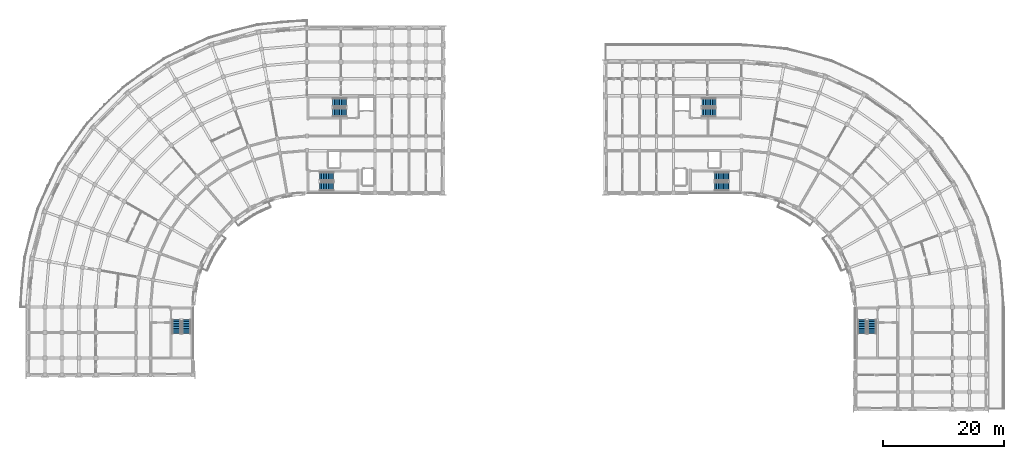
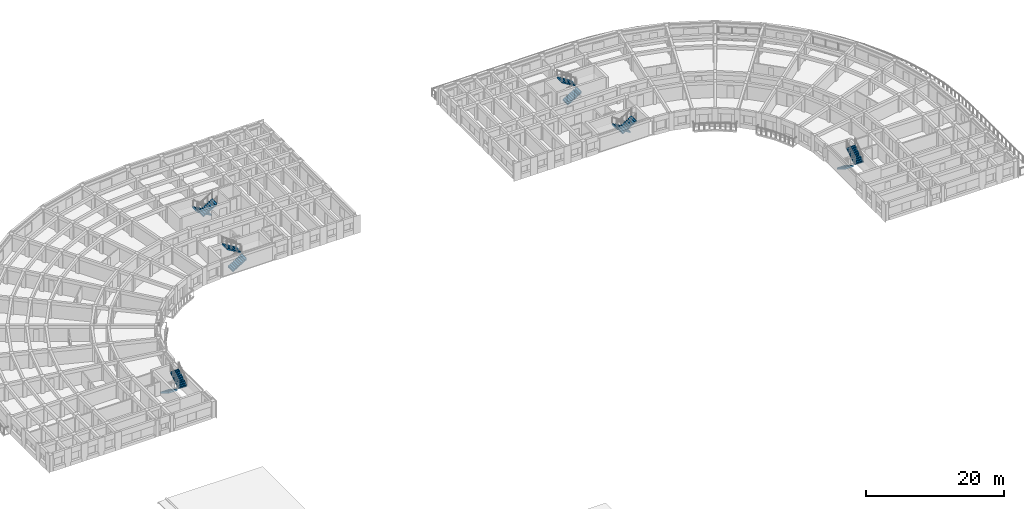
# One storey, part 28 of 41: 12 stair flights, 6 elements without a shape of their own.
"""IFC4 building model written with IfcOpenShell, lengths in metres."""

from ifc_helpers import new_model, si_unit, direction, frame, origin, place, context, subcontext, project, spatial, polyline, outline, extrude, material, type_object, element, aggregate, save


model = new_model("IFC4")

# Units and contexts
model_context = context("Model", 3, precision=1e-05, world=origin(), true_north=direction((0.0, 1.0)))
body_context = subcontext(model_context, "Body", "Model", "MODEL_VIEW")
ifc_project = project(units=[si_unit("LENGTHUNIT", "METRE"), si_unit("AREAUNIT", "SQUARE_METRE"), si_unit("VOLUMEUNIT", "CUBIC_METRE"), si_unit("PLANEANGLEUNIT", "RADIAN"), si_unit("MASSUNIT", "GRAM", prefix="KILO")], contexts=[model_context])

# Site, building, storey
site_placement = place(None, origin())
site = spatial("IfcSite", under=ifc_project, at=site_placement, CompositionType="ELEMENT")
building_placement = place(site_placement, origin())
building = spatial("IfcBuilding", under=site, at=building_placement, Name="Kiranvali Square Residences", CompositionType="ELEMENT")
storey_placement = place(building_placement, frame((0.0, 0.0, 33.89990234375)))
storey = spatial("IfcBuildingStorey", under=building, at=storey_placement, Name="L10", CompositionType="ELEMENT", Elevation=33.89990234375)

# Stair, stair flights
ifc_material = material(Name="Concrete M35 (35 MPa)", Category="concrete")
stair_type = type_object("IfcStairType", Name="ST-CORE-1700", PredefinedType="HALF_TURN_STAIR", material=ifc_material)
stair_1_placement = place(storey_placement, origin())
stair_1 = element("IfcStair", 1, at=stair_1_placement, inside=storey, type_object=stair_type, Name="L10 Block A Firefighting Exit Stair 1", PredefinedType="HALF_TURN_STAIR")
stair_flight_type = type_object("IfcStairFlightType", Name="STF-1700", PredefinedType="STRAIGHT", material=ifc_material)
stair_flight_1_placement = place(storey_placement, frame((54.699951171875, 121.52490234375, 0.0), z_axis=(0.0, 0.0, 1.0), x_axis=(-1.0, 0.0, 0.0)))
stair_flight_1 = element("IfcStairFlight", 2, at=stair_flight_1_placement, type_object=stair_flight_type, Name="ST-A1 flight 1", NumberOfRisers=9, NumberOfTreads=8, PredefinedType="STRAIGHT", RiserHeight=0.175, TreadLength=0.285, context=body_context, shape_type="SweptSolid", body=[
    extrude(outline(polyline([(-0.02001953125, -0.14990234375), (-0.02001953125, 0.0), (0.0, 0.0), (0.0, 0.175048828125), (0.284912109375, 0.175048828125), (0.284912109375, 0.35009765625), (0.570068359375, 0.35009765625), (0.570068359375, 0.52490234375), (0.85498046875, 0.52490234375), (0.85498046875, 0.699951171875), (1.139892578125, 0.699951171875), (1.139892578125, 0.875), (1.425048828125, 0.875), (1.425048828125, 1.050048828125), (1.7099609375, 1.050048828125), (1.7099609375, 1.22509765625), (1.9951171875, 1.22509765625), (1.9951171875, 1.39990234375), (2.280029296875, 1.39990234375), (2.280029296875, 1.574951171875), (2.300048828125, 1.574951171875), (2.300048828125, 1.22412109375), (2.280029296875, 1.22412109375), (0.0, -0.14990234375), (-0.02001953125, -0.14990234375)])), frame((0.0, 0.72509765625, 0.0), z_axis=(0.0, -1.0, 0.0), x_axis=(1.0, 0.0, 0.0)), (0.0, 0.0, 1.0), 1.449951171875),
])
stair_flight_2_placement = place(storey_placement, frame((52.419921875, 119.875, 1.5751953125), z_axis=(0.0, 0.0, 1.0), x_axis=(1.0, 0.0, 0.0)))
stair_flight_2 = element("IfcStairFlight", 3, at=stair_flight_2_placement, type_object=stair_flight_type, Name="ST-A1 flight 2", NumberOfRisers=9, NumberOfTreads=8, PredefinedType="STRAIGHT", RiserHeight=0.175, TreadLength=0.285, context=body_context, shape_type="SweptSolid", body=[
    extrude(outline(polyline([(-0.02001953125, -0.14990234375), (-0.02001953125, 0.0), (0.0, 0.0), (0.0, 0.175048828125), (0.284912109375, 0.175048828125), (0.284912109375, 0.35009765625), (0.570068359375, 0.35009765625), (0.570068359375, 0.52490234375), (0.85498046875, 0.52490234375), (0.85498046875, 0.699951171875), (1.139892578125, 0.699951171875), (1.139892578125, 0.875), (1.425048828125, 0.875), (1.425048828125, 1.050048828125), (1.7099609375, 1.050048828125), (1.7099609375, 1.22509765625), (1.9951171875, 1.22509765625), (1.9951171875, 1.39990234375), (2.280029296875, 1.39990234375), (2.280029296875, 1.574951171875), (2.300048828125, 1.574951171875), (2.300048828125, 1.22412109375), (2.280029296875, 1.22412109375), (0.0, -0.14990234375), (-0.02001953125, -0.14990234375)])), frame((0.0, 0.72509765625, 0.0), z_axis=(0.0, -1.0, 0.0), x_axis=(1.0, 0.0, 0.0)), (0.0, 0.0, 1.0), 1.449951171875),
])
aggregate(stair_1, [stair_flight_1, stair_flight_2])

stair_2_placement = place(storey_placement, origin())
stair_2 = element("IfcStair", 4, at=stair_2_placement, inside=storey, type_object=stair_type, Name="L10 Block A Protected Exit Stair 2", PredefinedType="HALF_TURN_STAIR")
stair_flight_3_placement = place(storey_placement, frame((50.300048828125, 107.675048828125, 0.0), z_axis=(0.0, 0.0, 1.0), x_axis=(1.0, 0.0, 0.0)))
stair_flight_3 = element("IfcStairFlight", 5, at=stair_flight_3_placement, type_object=stair_flight_type, Name="ST-A2 flight 1", NumberOfRisers=9, NumberOfTreads=8, PredefinedType="STRAIGHT", RiserHeight=0.175, TreadLength=0.285, context=body_context, shape_type="SweptSolid", body=[
    extrude(outline(polyline([(-0.02001953125, -0.14990234375), (-0.02001953125, 0.0), (0.0, 0.0), (0.0, 0.175048828125), (0.284912109375, 0.175048828125), (0.284912109375, 0.35009765625), (0.570068359375, 0.35009765625), (0.570068359375, 0.52490234375), (0.85498046875, 0.52490234375), (0.85498046875, 0.699951171875), (1.139892578125, 0.699951171875), (1.139892578125, 0.875), (1.425048828125, 0.875), (1.425048828125, 1.050048828125), (1.7099609375, 1.050048828125), (1.7099609375, 1.22509765625), (1.9951171875, 1.22509765625), (1.9951171875, 1.39990234375), (2.280029296875, 1.39990234375), (2.280029296875, 1.574951171875), (2.300048828125, 1.574951171875), (2.300048828125, 1.22412109375), (2.280029296875, 1.22412109375), (0.0, -0.14990234375), (-0.02001953125, -0.14990234375)])), frame((0.0, 0.72509765625, 0.0), z_axis=(0.0, -1.0, 0.0), x_axis=(1.0, 0.0, 0.0)), (0.0, 0.0, 1.0), 1.449951171875),
])
stair_flight_4_placement = place(storey_placement, frame((52.580078125, 109.324951171875, 1.5751953125), z_axis=(0.0, 0.0, 1.0), x_axis=(-1.0, 0.0, 0.0)))
stair_flight_4 = element("IfcStairFlight", 6, at=stair_flight_4_placement, type_object=stair_flight_type, Name="ST-A2 flight 2", NumberOfRisers=9, NumberOfTreads=8, PredefinedType="STRAIGHT", RiserHeight=0.175, TreadLength=0.285, context=body_context, shape_type="SweptSolid", body=[
    extrude(outline(polyline([(-0.02001953125, -0.14990234375), (-0.02001953125, 0.0), (0.0, 0.0), (0.0, 0.175048828125), (0.284912109375, 0.175048828125), (0.284912109375, 0.35009765625), (0.570068359375, 0.35009765625), (0.570068359375, 0.52490234375), (0.85498046875, 0.52490234375), (0.85498046875, 0.699951171875), (1.139892578125, 0.699951171875), (1.139892578125, 0.875), (1.425048828125, 0.875), (1.425048828125, 1.050048828125), (1.7099609375, 1.050048828125), (1.7099609375, 1.22509765625), (1.9951171875, 1.22509765625), (1.9951171875, 1.39990234375), (2.280029296875, 1.39990234375), (2.280029296875, 1.574951171875), (2.300048828125, 1.574951171875), (2.300048828125, 1.22412109375), (2.280029296875, 1.22412109375), (0.0, -0.14990234375), (-0.02001953125, -0.14990234375)])), frame((0.0, 0.72509765625, 0.0), z_axis=(0.0, -1.0, 0.0), x_axis=(1.0, 0.0, 0.0)), (0.0, 0.0, 1.0), 1.449951171875),
])
aggregate(stair_2, [stair_flight_3, stair_flight_4])

stair_3_placement = place(storey_placement, origin())
stair_3 = element("IfcStair", 7, at=stair_3_placement, inside=storey, type_object=stair_type, Name="L10 Block A Wing Protected Exit Stair 3", PredefinedType="HALF_TURN_STAIR")
stair_flight_5_placement = place(storey_placement, frame((26.675048828125, 85.699951171875, 0.0), z_axis=(0.0, 0.0, 1.0), x_axis=(0.0, -1.0, 0.0)))
stair_flight_5 = element("IfcStairFlight", 8, at=stair_flight_5_placement, type_object=stair_flight_type, Name="ST-A3 flight 1", NumberOfRisers=9, NumberOfTreads=8, PredefinedType="STRAIGHT", RiserHeight=0.175, TreadLength=0.285, context=body_context, shape_type="SweptSolid", body=[
    extrude(outline(polyline([(-0.02001953125, -0.14990234375), (-0.02001953125, 0.0), (0.0, 0.0), (0.0, 0.175048828125), (0.284912109375, 0.175048828125), (0.284912109375, 0.35009765625), (0.570068359375, 0.35009765625), (0.570068359375, 0.52490234375), (0.85498046875, 0.52490234375), (0.85498046875, 0.699951171875), (1.139892578125, 0.699951171875), (1.139892578125, 0.875), (1.425048828125, 0.875), (1.425048828125, 1.050048828125), (1.7099609375, 1.050048828125), (1.7099609375, 1.22509765625), (1.9951171875, 1.22509765625), (1.9951171875, 1.39990234375), (2.280029296875, 1.39990234375), (2.280029296875, 1.574951171875), (2.300048828125, 1.574951171875), (2.300048828125, 1.22412109375), (2.280029296875, 1.22412109375), (0.0, -0.14990234375), (-0.02001953125, -0.14990234375)])), frame((0.0, 0.72509765625, 0.0), z_axis=(0.0, -1.0, 0.0), x_axis=(1.0, 0.0, 0.0)), (0.0, 0.0, 1.0), 1.449951171875),
])
stair_flight_6_placement = place(storey_placement, frame((28.324951171875, 83.419921875, 1.5751953125), z_axis=(0.0, 0.0, 1.0), x_axis=(0.0, 1.0, 0.0)))
stair_flight_6 = element("IfcStairFlight", 9, at=stair_flight_6_placement, type_object=stair_flight_type, Name="ST-A3 flight 2", NumberOfRisers=9, NumberOfTreads=8, PredefinedType="STRAIGHT", RiserHeight=0.175, TreadLength=0.285, context=body_context, shape_type="SweptSolid", body=[
    extrude(outline(polyline([(-0.02001953125, -0.14990234375), (-0.02001953125, 0.0), (0.0, 0.0), (0.0, 0.175048828125), (0.284912109375, 0.175048828125), (0.284912109375, 0.35009765625), (0.570068359375, 0.35009765625), (0.570068359375, 0.52490234375), (0.85498046875, 0.52490234375), (0.85498046875, 0.699951171875), (1.139892578125, 0.699951171875), (1.139892578125, 0.875), (1.425048828125, 0.875), (1.425048828125, 1.050048828125), (1.7099609375, 1.050048828125), (1.7099609375, 1.22509765625), (1.9951171875, 1.22509765625), (1.9951171875, 1.39990234375), (2.280029296875, 1.39990234375), (2.280029296875, 1.574951171875), (2.300048828125, 1.574951171875), (2.300048828125, 1.22412109375), (2.280029296875, 1.22412109375), (0.0, -0.14990234375), (-0.02001953125, -0.14990234375)])), frame((0.0, 0.72509765625, 0.0), z_axis=(0.0, -1.0, 0.0), x_axis=(1.0, 0.0, 0.0)), (0.0, 0.0, 1.0), 1.449951171875),
])
aggregate(stair_3, [stair_flight_5, stair_flight_6])

stair_4_placement = place(storey_placement, origin())
stair_4 = element("IfcStair", 10, at=stair_4_placement, inside=storey, type_object=stair_type, Name="L10 Block B Firefighting Exit Stair 1", PredefinedType="HALF_TURN_STAIR")
stair_flight_7_placement = place(storey_placement, frame((113.300048828125, 119.875, 0.0), z_axis=(0.0, 0.0, 1.0), x_axis=(1.0, 0.0, 0.0)))
stair_flight_7 = element("IfcStairFlight", 11, at=stair_flight_7_placement, type_object=stair_flight_type, Name="ST-B1 flight 1", NumberOfRisers=9, NumberOfTreads=8, PredefinedType="STRAIGHT", RiserHeight=0.175, TreadLength=0.285, context=body_context, shape_type="SweptSolid", body=[
    extrude(outline(polyline([(-0.02001953125, -0.14990234375), (-0.02001953125, 0.0), (0.0, 0.0), (0.0, 0.175048828125), (0.284912109375, 0.175048828125), (0.284912109375, 0.35009765625), (0.570068359375, 0.35009765625), (0.570068359375, 0.52490234375), (0.85498046875, 0.52490234375), (0.85498046875, 0.699951171875), (1.139892578125, 0.699951171875), (1.139892578125, 0.875), (1.425048828125, 0.875), (1.425048828125, 1.050048828125), (1.7099609375, 1.050048828125), (1.7099609375, 1.22509765625), (1.9951171875, 1.22509765625), (1.9951171875, 1.39990234375), (2.280029296875, 1.39990234375), (2.280029296875, 1.574951171875), (2.300048828125, 1.574951171875), (2.300048828125, 1.22412109375), (2.280029296875, 1.22412109375), (0.0, -0.14990234375), (-0.02001953125, -0.14990234375)])), frame((0.0, 0.72509765625, 0.0), z_axis=(0.0, -1.0, 0.0), x_axis=(1.0, 0.0, 0.0)), (0.0, 0.0, 1.0), 1.449951171875),
])
stair_flight_8_placement = place(storey_placement, frame((115.580078125, 121.52490234375, 1.5751953125), z_axis=(0.0, 0.0, 1.0), x_axis=(-1.0, 0.0, 0.0)))
stair_flight_8 = element("IfcStairFlight", 12, at=stair_flight_8_placement, type_object=stair_flight_type, Name="ST-B1 flight 2", NumberOfRisers=9, NumberOfTreads=8, PredefinedType="STRAIGHT", RiserHeight=0.175, TreadLength=0.285, context=body_context, shape_type="SweptSolid", body=[
    extrude(outline(polyline([(-0.02001953125, -0.14990234375), (-0.02001953125, 0.0), (0.0, 0.0), (0.0, 0.175048828125), (0.284912109375, 0.175048828125), (0.284912109375, 0.35009765625), (0.570068359375, 0.35009765625), (0.570068359375, 0.52490234375), (0.85498046875, 0.52490234375), (0.85498046875, 0.699951171875), (1.139892578125, 0.699951171875), (1.139892578125, 0.875), (1.425048828125, 0.875), (1.425048828125, 1.050048828125), (1.7099609375, 1.050048828125), (1.7099609375, 1.22509765625), (1.9951171875, 1.22509765625), (1.9951171875, 1.39990234375), (2.280029296875, 1.39990234375), (2.280029296875, 1.574951171875), (2.300048828125, 1.574951171875), (2.300048828125, 1.22412109375), (2.280029296875, 1.22412109375), (0.0, -0.14990234375), (-0.02001953125, -0.14990234375)])), frame((0.0, 0.72509765625, 0.0), z_axis=(0.0, -1.0, 0.0), x_axis=(1.0, 0.0, 0.0)), (0.0, 0.0, 1.0), 1.449951171875),
])
aggregate(stair_4, [stair_flight_7, stair_flight_8])

stair_5_placement = place(storey_placement, origin())
stair_5 = element("IfcStair", 13, at=stair_5_placement, inside=storey, type_object=stair_type, Name="L10 Block B Protected Exit Stair 2", PredefinedType="HALF_TURN_STAIR")
stair_flight_9_placement = place(storey_placement, frame((117.699951171875, 109.324951171875, 0.0), z_axis=(0.0, 0.0, 1.0), x_axis=(-1.0, 0.0, 0.0)))
stair_flight_9 = element("IfcStairFlight", 14, at=stair_flight_9_placement, type_object=stair_flight_type, Name="ST-B2 flight 1", NumberOfRisers=9, NumberOfTreads=8, PredefinedType="STRAIGHT", RiserHeight=0.175, TreadLength=0.285, context=body_context, shape_type="SweptSolid", body=[
    extrude(outline(polyline([(-0.02001953125, -0.14990234375), (-0.02001953125, 0.0), (0.0, 0.0), (0.0, 0.175048828125), (0.284912109375, 0.175048828125), (0.284912109375, 0.35009765625), (0.570068359375, 0.35009765625), (0.570068359375, 0.52490234375), (0.85498046875, 0.52490234375), (0.85498046875, 0.699951171875), (1.139892578125, 0.699951171875), (1.139892578125, 0.875), (1.425048828125, 0.875), (1.425048828125, 1.050048828125), (1.7099609375, 1.050048828125), (1.7099609375, 1.22509765625), (1.9951171875, 1.22509765625), (1.9951171875, 1.39990234375), (2.280029296875, 1.39990234375), (2.280029296875, 1.574951171875), (2.300048828125, 1.574951171875), (2.300048828125, 1.22412109375), (2.280029296875, 1.22412109375), (0.0, -0.14990234375), (-0.02001953125, -0.14990234375)])), frame((0.0, 0.72509765625, 0.0), z_axis=(0.0, -1.0, 0.0), x_axis=(1.0, 0.0, 0.0)), (0.0, 0.0, 1.0), 1.449951171875),
])
stair_flight_10_placement = place(storey_placement, frame((115.419921875, 107.675048828125, 1.5751953125), z_axis=(0.0, 0.0, 1.0), x_axis=(1.0, 0.0, 0.0)))
stair_flight_10 = element("IfcStairFlight", 15, at=stair_flight_10_placement, type_object=stair_flight_type, Name="ST-B2 flight 2", NumberOfRisers=9, NumberOfTreads=8, PredefinedType="STRAIGHT", RiserHeight=0.175, TreadLength=0.285, context=body_context, shape_type="SweptSolid", body=[
    extrude(outline(polyline([(-0.02001953125, -0.14990234375), (-0.02001953125, 0.0), (0.0, 0.0), (0.0, 0.175048828125), (0.284912109375, 0.175048828125), (0.284912109375, 0.35009765625), (0.570068359375, 0.35009765625), (0.570068359375, 0.52490234375), (0.85498046875, 0.52490234375), (0.85498046875, 0.699951171875), (1.139892578125, 0.699951171875), (1.139892578125, 0.875), (1.425048828125, 0.875), (1.425048828125, 1.050048828125), (1.7099609375, 1.050048828125), (1.7099609375, 1.22509765625), (1.9951171875, 1.22509765625), (1.9951171875, 1.39990234375), (2.280029296875, 1.39990234375), (2.280029296875, 1.574951171875), (2.300048828125, 1.574951171875), (2.300048828125, 1.22412109375), (2.280029296875, 1.22412109375), (0.0, -0.14990234375), (-0.02001953125, -0.14990234375)])), frame((0.0, 0.72509765625, 0.0), z_axis=(0.0, -1.0, 0.0), x_axis=(1.0, 0.0, 0.0)), (0.0, 0.0, 1.0), 1.449951171875),
])
aggregate(stair_5, [stair_flight_9, stair_flight_10])

stair_6_placement = place(storey_placement, origin())
stair_6 = element("IfcStair", 16, at=stair_6_placement, inside=storey, type_object=stair_type, Name="L10 Block B Wing Protected Exit Stair 3", PredefinedType="HALF_TURN_STAIR")
stair_flight_11_placement = place(storey_placement, frame((139.675048828125, 85.699951171875, 0.0), z_axis=(0.0, 0.0, 1.0), x_axis=(0.0, -1.0, 0.0)))
stair_flight_11 = element("IfcStairFlight", 17, at=stair_flight_11_placement, type_object=stair_flight_type, Name="ST-B3 flight 1", NumberOfRisers=9, NumberOfTreads=8, PredefinedType="STRAIGHT", RiserHeight=0.175, TreadLength=0.285, context=body_context, shape_type="SweptSolid", body=[
    extrude(outline(polyline([(-0.02001953125, -0.14990234375), (-0.02001953125, 0.0), (0.0, 0.0), (0.0, 0.175048828125), (0.284912109375, 0.175048828125), (0.284912109375, 0.35009765625), (0.570068359375, 0.35009765625), (0.570068359375, 0.52490234375), (0.85498046875, 0.52490234375), (0.85498046875, 0.699951171875), (1.139892578125, 0.699951171875), (1.139892578125, 0.875), (1.425048828125, 0.875), (1.425048828125, 1.050048828125), (1.7099609375, 1.050048828125), (1.7099609375, 1.22509765625), (1.9951171875, 1.22509765625), (1.9951171875, 1.39990234375), (2.280029296875, 1.39990234375), (2.280029296875, 1.574951171875), (2.300048828125, 1.574951171875), (2.300048828125, 1.22412109375), (2.280029296875, 1.22412109375), (0.0, -0.14990234375), (-0.02001953125, -0.14990234375)])), frame((0.0, 0.72509765625, 0.0), z_axis=(0.0, -1.0, 0.0), x_axis=(1.0, 0.0, 0.0)), (0.0, 0.0, 1.0), 1.449951171875),
])
stair_flight_12_placement = place(storey_placement, frame((141.324951171875, 83.419921875, 1.5751953125), z_axis=(0.0, 0.0, 1.0), x_axis=(0.0, 1.0, 0.0)))
stair_flight_12 = element("IfcStairFlight", 18, at=stair_flight_12_placement, type_object=stair_flight_type, Name="ST-B3 flight 2", NumberOfRisers=9, NumberOfTreads=8, PredefinedType="STRAIGHT", RiserHeight=0.175, TreadLength=0.285, context=body_context, shape_type="SweptSolid", body=[
    extrude(outline(polyline([(-0.02001953125, -0.14990234375), (-0.02001953125, 0.0), (0.0, 0.0), (0.0, 0.175048828125), (0.284912109375, 0.175048828125), (0.284912109375, 0.35009765625), (0.570068359375, 0.35009765625), (0.570068359375, 0.52490234375), (0.85498046875, 0.52490234375), (0.85498046875, 0.699951171875), (1.139892578125, 0.699951171875), (1.139892578125, 0.875), (1.425048828125, 0.875), (1.425048828125, 1.050048828125), (1.7099609375, 1.050048828125), (1.7099609375, 1.22509765625), (1.9951171875, 1.22509765625), (1.9951171875, 1.39990234375), (2.280029296875, 1.39990234375), (2.280029296875, 1.574951171875), (2.300048828125, 1.574951171875), (2.300048828125, 1.22412109375), (2.280029296875, 1.22412109375), (0.0, -0.14990234375), (-0.02001953125, -0.14990234375)])), frame((0.0, 0.72509765625, 0.0), z_axis=(0.0, -1.0, 0.0), x_axis=(1.0, 0.0, 0.0)), (0.0, 0.0, 1.0), 1.449951171875),
])
aggregate(stair_6, [stair_flight_11, stair_flight_12])

save(model, "model.ifc")
